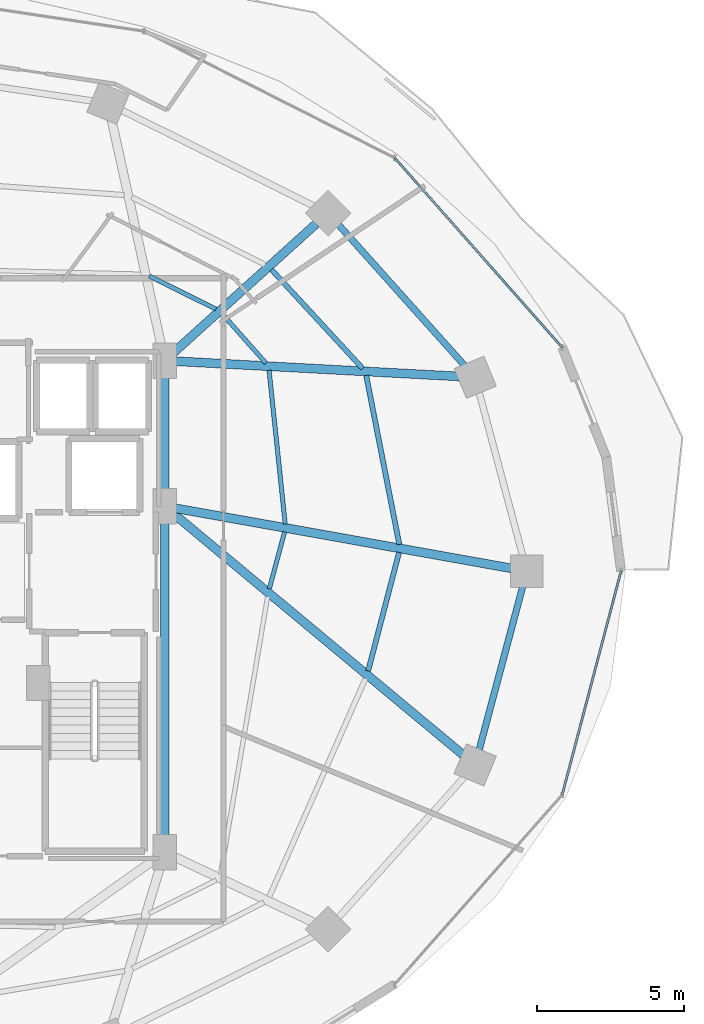
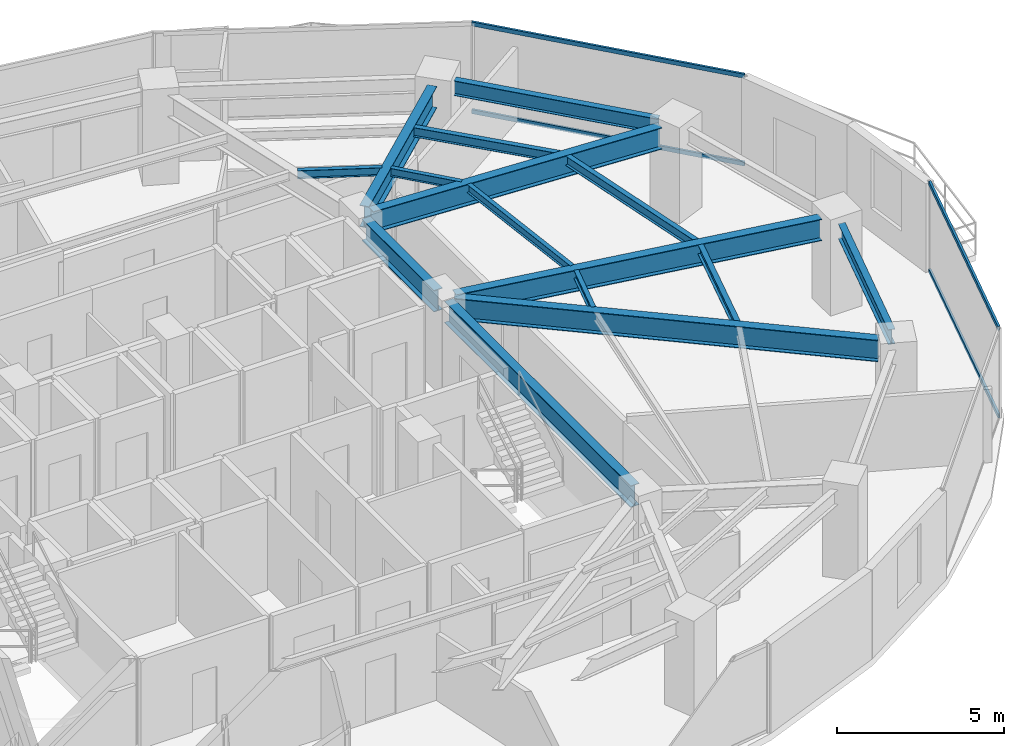
# One storey, part 15 of 29: 15 beams, 4 members, 2 elements without a shape of their own.
"""IFC4 building model written with IfcOpenShell, lengths in metres."""

from ifc_helpers import new_model, si_unit, direction, frame, origin, origin_2d, place, context, subcontext, project, spatial, hollow_rectangle, i_section, extrude, material, material_profile, profile_set, type_object, element, aggregate, save


model = new_model("IFC4")

# Units and contexts
model_context = context("Model", 3, precision=1e-05, world=origin(), true_north=direction((0.0, 1.0)))
body_context = subcontext(model_context, "Body", "Model", "MODEL_VIEW")
ifc_project = project(units=[si_unit("LENGTHUNIT", "METRE"), si_unit("AREAUNIT", "SQUARE_METRE"), si_unit("VOLUMEUNIT", "CUBIC_METRE"), si_unit("PLANEANGLEUNIT", "RADIAN"), si_unit("MASSUNIT", "GRAM", prefix="KILO")], contexts=[model_context])

# Site, building, storey
site_placement = place(None, origin())
site = spatial("IfcSite", under=ifc_project, at=site_placement, CompositionType="ELEMENT")
building_placement = place(site_placement, origin())
building = spatial("IfcBuilding", under=site, at=building_placement, Name="Vorneva Point Tower", CompositionType="ELEMENT")
storey_placement = place(building_placement, frame((0.0, 0.0, 82.300048828125)))
storey = spatial("IfcBuildingStorey", under=building, at=storey_placement, Name="L21", CompositionType="ELEMENT", Elevation=82.300048828125)

# Beams
ifc_material_1 = material(Name="Steel S355", Category="steel")
ifc_material_profile_1 = material_profile(ifc_material_1, i_section(OverallWidth=0.300048828125, OverallDepth=0.7880859375, WebThickness=0.014404296875, FlangeThickness=0.02197265625, at=origin_2d()), Name="80Sh1")
ifc_profile_set_1 = profile_set([ifc_material_profile_1], Name="Steel S355")
beam_type_1 = type_object("IfcBeamType", Name="BM-GRD-80Sh1", PredefinedType="USERDEFINED", material=ifc_profile_set_1)
beam_1_placement = place(storey_placement, frame((60.5205078125, 26.0947265625, 2.845947265625), z_axis=(-0.984378310682, 0.176066298476, 0.0), x_axis=(-0.176066298476, -0.984378310682, 0.0)))
element("IfcBeam", 1, at=beam_1_placement, inside=storey, type_object=beam_type_1, Name="L21 Radial Primary Girder 01", ObjectType="GIRDER", PredefinedType="USERDEFINED", context=body_context, shape_type="SweptSolid", body=[
    extrude(i_section(OverallWidth=0.300048828125, OverallDepth=0.7880859375, WebThickness=0.014404296875, FlangeThickness=0.02197265625, at=origin_2d()), origin(), (0.0, 0.0, 1.0), 11.6171875),
])
beam_2_placement = place(storey_placement, frame((58.75830078125, 32.611083984375, 2.845947265625), z_axis=(-0.998554075878, 0.053756465161, 0.0), x_axis=(-0.053756465161, -0.998554075878, 0.0)))
element("IfcBeam", 2, at=beam_2_placement, inside=storey, type_object=beam_type_1, Name="L21 Radial Primary Girder 02", ObjectType="GIRDER", PredefinedType="USERDEFINED", context=body_context, shape_type="SweptSolid", body=[
    extrude(i_section(OverallWidth=0.300048828125, OverallDepth=0.7880859375, WebThickness=0.014404296875, FlangeThickness=0.02197265625, at=origin_2d()), origin(), (0.0, 0.0, 1.0), 9.6826171875),
])
beam_3_placement = place(storey_placement, frame((53.899658203125, 37.801513671875, 2.845947265625), z_axis=(-0.742097300344, -0.670292172729, 0.0), x_axis=(0.670292172729, -0.742097300344, 0.0)))
element("IfcBeam", 3, at=beam_3_placement, inside=storey, type_object=beam_type_1, Name="L21 Radial Primary Girder 03", ObjectType="GIRDER", PredefinedType="USERDEFINED", context=body_context, shape_type="SweptSolid", body=[
    extrude(i_section(OverallWidth=0.300048828125, OverallDepth=0.7880859375, WebThickness=0.014404296875, FlangeThickness=0.02197265625, at=origin_2d()), origin(), (0.0, 0.0, 1.0), 6.599365234375),
])
beam_4_placement = place(storey_placement, frame((58.882080078125, 19.76220703125, 2.845947265625), z_axis=(-0.768431550428, 0.639931990376, 0.0), x_axis=(-0.639931990376, -0.768431550428, 0.0)))
element("IfcBeam", 4, at=beam_4_placement, inside=storey, type_object=beam_type_1, Name="L21 Radial Primary Girder 16", ObjectType="GIRDER", PredefinedType="USERDEFINED", context=body_context, shape_type="SweptSolid", body=[
    extrude(i_section(OverallWidth=0.300048828125, OverallDepth=0.7880859375, WebThickness=0.014404296875, FlangeThickness=0.02197265625, at=origin_2d()), origin(), (0.0, 0.0, 1.0), 12.845458984375),
])
beam_5_placement = place(storey_placement, frame((48.75, 16.77001953125, 2.845947265625), z_axis=(0.0, 1.0, 0.0), x_axis=(-1.0, 0.0, 0.0)))
element("IfcBeam", 5, at=beam_5_placement, inside=storey, type_object=beam_type_1, Name="L21 Core Tie Girder CT3", ObjectType="GIRDER", PredefinedType="USERDEFINED", context=body_context, shape_type="SweptSolid", body=[
    extrude(i_section(OverallWidth=0.300048828125, OverallDepth=0.7880859375, WebThickness=0.014404296875, FlangeThickness=0.02197265625, at=origin_2d()), origin(), (0.0, 0.0, 1.0), 11.10986328125),
])
beam_6_placement = place(storey_placement, frame((48.75, 28.52001953125, 2.845947265625), z_axis=(0.0, 1.0, 0.0), x_axis=(-1.0, 0.0, 0.0)))
element("IfcBeam", 6, at=beam_6_placement, inside=storey, type_object=beam_type_1, Name="L21 Core Tie Girder CT4", ObjectType="GIRDER", PredefinedType="USERDEFINED", context=body_context, shape_type="SweptSolid", body=[
    extrude(i_section(OverallWidth=0.300048828125, OverallDepth=0.7880859375, WebThickness=0.014404296875, FlangeThickness=0.02197265625, at=origin_2d()), origin(), (0.0, 0.0, 1.0), 4.31005859375),
])
ifc_material_profile_2 = material_profile(ifc_material_1, i_section(OverallWidth=0.14892578125, OverallDepth=0.298095703125, WebThickness=0.005615234375, FlangeThickness=0.008056640625, at=origin_2d()), Name="30B1")
ifc_profile_set_2 = profile_set([ifc_material_profile_2], Name="Steel S355")
beam_type_2 = type_object("IfcBeamType", Name="BM-JST-30B1", PredefinedType="JOIST", material=ifc_profile_set_2)
beam_7_placement = place(storey_placement, frame((52.843994140625, 27.602294921875, 3.091064453125), z_axis=(-0.10464604788, 0.994509529699, 0.0), x_axis=(-0.994509529699, -0.10464604788, 0.0)))
element("IfcBeam", 7, at=beam_7_placement, inside=storey, type_object=beam_type_2, Name="L21 Secondary Floor Beam 2.01", PredefinedType="JOIST", context=body_context, shape_type="SweptSolid", body=[
    extrude(i_section(OverallWidth=0.14892578125, OverallDepth=0.298095703125, WebThickness=0.005615234375, FlangeThickness=0.008056640625, at=origin_2d()), origin(), (0.0, 0.0, 1.0), 5.249267578125),
])
beam_8_placement = place(storey_placement, frame((52.188720703125, 33.063232421875, 3.091064453125), z_axis=(-0.662684826544, 0.748898404771, 0.0), x_axis=(-0.748898404771, -0.662684826544, 0.0)))
element("IfcBeam", 8, at=beam_8_placement, inside=storey, type_object=beam_type_2, Name="L21 Secondary Floor Beam 2.02", PredefinedType="JOIST", context=body_context, shape_type="SweptSolid", body=[
    extrude(i_section(OverallWidth=0.14892578125, OverallDepth=0.298095703125, WebThickness=0.005615234375, FlangeThickness=0.008056640625, at=origin_2d()), origin(), (0.0, 0.0, 1.0), 2.2314453125),
])
beam_9_placement = place(storey_placement, frame((50.49462890625, 34.89892578125, 3.091064453125), z_axis=(-0.896137449279, 0.443776601456, 0.0), x_axis=(-0.443776601456, -0.896137449279, 0.0)))
element("IfcBeam", 9, at=beam_9_placement, inside=storey, type_object=beam_type_2, Name="L21 Secondary Floor Beam 2.03", PredefinedType="JOIST", context=body_context, shape_type="SweptSolid", body=[
    extrude(i_section(OverallWidth=0.14892578125, OverallDepth=0.298095703125, WebThickness=0.005615234375, FlangeThickness=0.008056640625, at=origin_2d()), origin(), (0.0, 0.0, 1.0), 2.53125),
])
beam_10_placement = place(storey_placement, frame((52.304443359375, 25.403076171875, 3.091064453125), z_axis=(0.25952628154, 0.965736045299, 0.0), x_axis=(-0.965736045299, 0.25952628154, 0.0)))
element("IfcBeam", 10, at=beam_10_placement, inside=storey, type_object=beam_type_2, Name="L21 Secondary Floor Beam 2.16", PredefinedType="JOIST", context=body_context, shape_type="SweptSolid", body=[
    extrude(i_section(OverallWidth=0.14892578125, OverallDepth=0.298095703125, WebThickness=0.005615234375, FlangeThickness=0.008056640625, at=origin_2d()), origin(), (0.0, 0.0, 1.0), 1.9970703125),
])
ifc_material_profile_3 = material_profile(ifc_material_1, i_section(OverallWidth=0.174072265625, OverallDepth=0.345947265625, WebThickness=0.006103515625, FlangeThickness=0.009033203125, at=origin_2d()), Name="35B1")
ifc_profile_set_3 = profile_set([ifc_material_profile_3], Name="Steel S355")
beam_type_3 = type_object("IfcBeamType", Name="BM-SEC-35B1", PredefinedType="BEAM", material=ifc_profile_set_3)
beam_11_placement = place(storey_placement, frame((56.72021484375, 26.905029296875, 3.06689453125), z_axis=(-0.192456211841, 0.981305562261, 0.0), x_axis=(-0.981305562261, -0.192456211841, 0.0)))
element("IfcBeam", 11, at=beam_11_placement, inside=storey, type_object=beam_type_3, Name="L21 Secondary Floor Beam 1.01", PredefinedType="BEAM", context=body_context, shape_type="SweptSolid", body=[
    extrude(i_section(OverallWidth=0.174072265625, OverallDepth=0.345947265625, WebThickness=0.006103515625, FlangeThickness=0.009033203125, at=origin_2d()), origin(), (0.0, 0.0, 1.0), 5.851806640625),
])
beam_12_placement = place(storey_placement, frame((55.473876953125, 32.88427734375, 3.06689453125), z_axis=(-0.67812021116, 0.734951004637, 0.0), x_axis=(-0.734951004637, -0.67812021116, 0.0)))
element("IfcBeam", 12, at=beam_12_placement, inside=storey, type_object=beam_type_3, Name="L21 Secondary Floor Beam 1.02", PredefinedType="BEAM", context=body_context, shape_type="SweptSolid", body=[
    extrude(i_section(OverallWidth=0.174072265625, OverallDepth=0.345947265625, WebThickness=0.006103515625, FlangeThickness=0.009033203125, at=origin_2d()), origin(), (0.0, 0.0, 1.0), 4.566650390625),
])
beam_13_placement = place(storey_placement, frame((55.659423828125, 22.6083984375, 3.06689453125), z_axis=(0.252760882145, 0.967528778103, 0.0), x_axis=(-0.967528778103, 0.252760882145, 0.0)))
element("IfcBeam", 13, at=beam_13_placement, inside=storey, type_object=beam_type_3, Name="L21 Secondary Floor Beam 1.16", PredefinedType="BEAM", context=body_context, shape_type="SweptSolid", body=[
    extrude(i_section(OverallWidth=0.174072265625, OverallDepth=0.345947265625, WebThickness=0.006103515625, FlangeThickness=0.009033203125, at=origin_2d()), origin(), (0.0, 0.0, 1.0), 4.1630859375),
])
ifc_material_profile_4 = material_profile(ifc_material_1, i_section(OverallWidth=0.219970703125, OverallDepth=0.54296875, WebThickness=0.009521484375, FlangeThickness=0.013427734375, at=origin_2d()), Name="55B1")
ifc_profile_set_4 = profile_set([ifc_material_profile_4], Name="Steel S355")
beam_type_4 = type_object("IfcBeamType", Name="BM-SPN-55B1", PredefinedType="SPANDREL", material=ifc_profile_set_4)
beam_14_placement = place(storey_placement, frame((58.9384765625, 32.980712890625, 2.968505859375), z_axis=(-0.667073815664, 0.744991627105, 0.0), x_axis=(-0.744991627105, -0.667073815664, 0.0)))
element("IfcBeam", 14, at=beam_14_placement, inside=storey, type_object=beam_type_4, Name="L21 Perimeter Spandrel Ring Beam 02", PredefinedType="SPANDREL", context=body_context, shape_type="SweptSolid", body=[
    extrude(i_section(OverallWidth=0.219970703125, OverallDepth=0.54296875, WebThickness=0.009521484375, FlangeThickness=0.013427734375, at=origin_2d()), origin(), (0.0, 0.0, 1.0), 6.420166015625),
])
beam_15_placement = place(storey_placement, frame((59.43310546875, 19.934814453125, 2.968505859375), z_axis=(0.257572674071, 0.966258928845, 0.0), x_axis=(-0.966258928845, 0.257572674071, 0.0)))
element("IfcBeam", 15, at=beam_15_placement, inside=storey, type_object=beam_type_4, Name="L21 Perimeter Spandrel Ring Beam 16", PredefinedType="SPANDREL", context=body_context, shape_type="SweptSolid", body=[
    extrude(i_section(OverallWidth=0.219970703125, OverallDepth=0.54296875, WebThickness=0.009521484375, FlangeThickness=0.013427734375, at=origin_2d()), origin(), (0.0, 0.0, 1.0), 5.7421875),
])

# Curtain wall, members
ifc_material_2 = material(Name="Pale anodised aluminium", Category="aluminium")
curtain_wall_type = type_object("IfcCurtainWallType", Name="CW-HTL-SYS", PredefinedType="NOTDEFINED", material=ifc_material_2)
curtain_wall_1_placement = place(storey_placement, origin())
curtain_wall_1 = element("IfcCurtainWall", 16, at=curtain_wall_1_placement, inside=storey, type_object=curtain_wall_type, Name="L21 Unitised Curtain Wall CW-L21-R01", PredefinedType="NOTDEFINED")
ifc_material_profile_5 = material_profile(ifc_material_2, hollow_rectangle(XDim=0.074951171875, YDim=0.14990234375, WallThickness=0.00390625, at=origin_2d()), Name="AL-TRN 150x75x4")
ifc_profile_set_5 = profile_set([ifc_material_profile_5], Name="Pale anodised aluminium")
member_type = type_object("IfcMemberType", Name="CW-TRN-150", PredefinedType="USERDEFINED", material=ifc_profile_set_5)
member_1_placement = place(storey_placement, frame((62.251708984375, 33.59619140625, 0.02001953125), z_axis=(-0.662137326257, 0.74938251993, 0.0), x_axis=(-0.74938251993, -0.662137326257, 0.0)))
member_1 = element("IfcMember", 17, at=member_1_placement, type_object=member_type, Name="CW-L21-R01 Transom 01.1", ObjectType="TRANSOM", PredefinedType="USERDEFINED", context=body_context, shape_type="SweptSolid", body=[
    extrude(hollow_rectangle(XDim=0.074951171875, YDim=0.14990234375, WallThickness=0.00390625, at=origin_2d()), origin(), (0.0, 0.0, 1.0), 8.59375),
])
member_2_placement = place(storey_placement, frame((62.251708984375, 33.59619140625, 3.219970703125), z_axis=(-0.662137326257, 0.74938251993, 0.0), x_axis=(-0.74938251993, -0.662137326257, 0.0)))
member_2 = element("IfcMember", 18, at=member_2_placement, type_object=member_type, Name="CW-L21-R01 Transom 01.2", ObjectType="TRANSOM", PredefinedType="USERDEFINED", context=body_context, shape_type="SweptSolid", body=[
    extrude(hollow_rectangle(XDim=0.074951171875, YDim=0.14990234375, WallThickness=0.00390625, at=origin_2d()), origin(), (0.0, 0.0, 1.0), 8.59375),
])
aggregate(curtain_wall_1, [member_1, member_2])

curtain_wall_2_placement = place(storey_placement, origin())
curtain_wall_2 = element("IfcCurtainWall", 19, at=curtain_wall_2_placement, inside=storey, type_object=curtain_wall_type, Name="L21 Unitised Curtain Wall CW-L21-R04", PredefinedType="NOTDEFINED")
member_3_placement = place(storey_placement, frame((62.251708984375, 18.40380859375, 0.02001953125), z_axis=(0.254409150465, 0.967096677773, 0.0), x_axis=(-0.967096677773, 0.254409150465, 0.0)))
member_3 = element("IfcMember", 20, at=member_3_placement, type_object=member_type, Name="CW-L21-R04 Transom 02.1", ObjectType="TRANSOM", PredefinedType="USERDEFINED", context=body_context, shape_type="SweptSolid", body=[
    extrude(hollow_rectangle(XDim=0.074951171875, YDim=0.14990234375, WallThickness=0.00390625, at=origin_2d()), origin(), (0.0, 0.0, 1.0), 7.854736328125),
])
member_4_placement = place(storey_placement, frame((62.251708984375, 18.40380859375, 3.219970703125), z_axis=(0.254409150465, 0.967096677773, 0.0), x_axis=(-0.967096677773, 0.254409150465, 0.0)))
member_4 = element("IfcMember", 21, at=member_4_placement, type_object=member_type, Name="CW-L21-R04 Transom 02.2", ObjectType="TRANSOM", PredefinedType="USERDEFINED", context=body_context, shape_type="SweptSolid", body=[
    extrude(hollow_rectangle(XDim=0.074951171875, YDim=0.14990234375, WallThickness=0.00390625, at=origin_2d()), origin(), (0.0, 0.0, 1.0), 7.854736328125),
])
aggregate(curtain_wall_2, [member_3, member_4])

save(model, "model.ifc")
